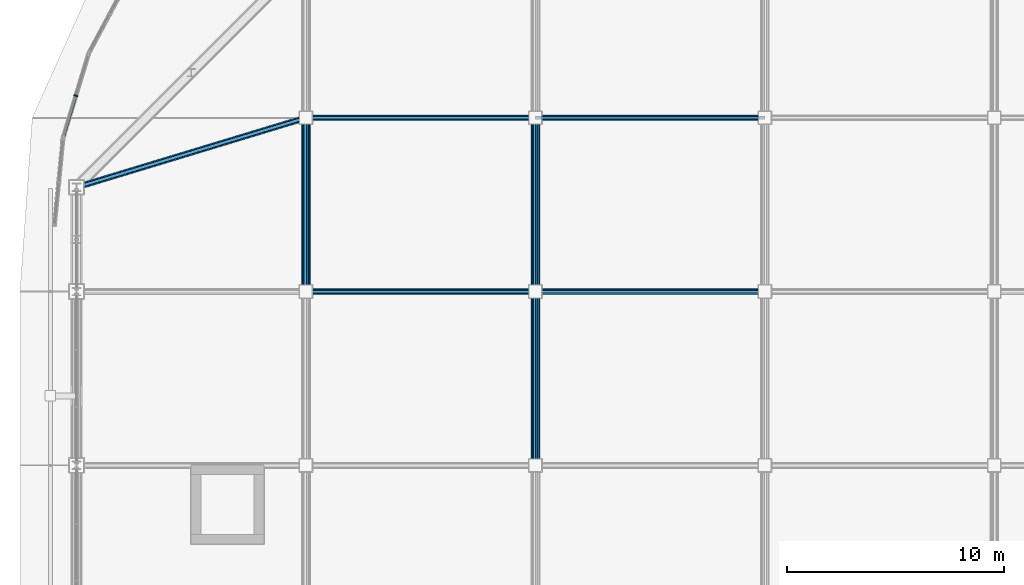
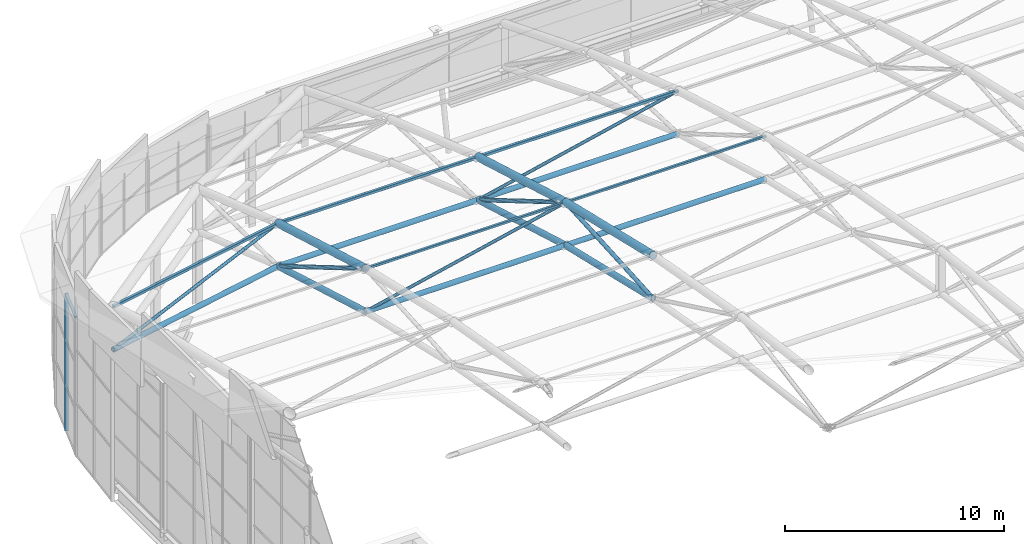
# One storey, part 19 of 42: 24 members, 1 element without a shape of its own.
"""IFC4 building model written with IfcOpenShell, lengths in metres."""

import ifcopenshell
import ifcopenshell.guid

model = None  # the IFC model being written
_history = None  # IfcOwnerHistory: only IFC2X3 demands one
_inside = {}  # id of a spatial element -> (the spatial element, [elements in it])
_under = {}  # id of a project, library or spatial element -> (it, [spatial elements below it])
_declared = {}  # id of a project -> (the project, [libraries it declares])
_typed = {}  # id of a type object -> (the type object, [elements of that type])
_made_of = {}  # id of a material, layer set ... -> (it, [elements and type objects made of it])


def new_model(schema):
    """Start an empty IFC model of exactly this schema.

    Asked for "IFC4X3", IfcOpenShell would pick the latest addendum, in which some entities
    have other attributes; the version numbers below select the first issue.
    IFC2X3 requires an IfcOwnerHistory on every rooted entity: one is made here for all.
    """
    global model, _history
    if schema == "IFC4X3":
        model = ifcopenshell.file(schema_version=(4, 3, 0, 0))
    else:
        model = ifcopenshell.file(schema=schema)
    _inside.clear()
    _under.clear()
    _declared.clear()
    _typed.clear()
    _made_of.clear()
    _history = None
    if model.schema == "IFC2X3":
        org = make("IfcOrganization", Name="unknown")
        user = make(
            "IfcPersonAndOrganization",
            ThePerson=make("IfcPerson", FamilyName="unknown"),
            TheOrganization=org,
        )
        app = make(
            "IfcApplication",
            ApplicationDeveloper=org,
            Version="unknown",
            ApplicationFullName="unknown",
            ApplicationIdentifier="unknown",
        )
        _history = make(
            "IfcOwnerHistory",
            OwningUser=user,
            OwningApplication=app,
            ChangeAction="ADDED",
            CreationDate=0,
        )
    return model


def make(cls, **values):
    """One entity of the class cls with the attributes given. An attribute that is None is left unset."""
    return model.create_entity(
        cls, **{name: value for name, value in values.items() if value is not None}
    )


def rooted(cls, **values):
    """An entity with a GlobalId (a new one), such as an element, a storey or a relation."""
    return make(cls, GlobalId=ifcopenshell.guid.new(), OwnerHistory=_history, **values)


def si_unit(unit_type, name, prefix=None):
    """IfcSIUnit, for example si_unit("LENGTHUNIT", "METRE", prefix="MILLI")."""
    return make("IfcSIUnit", UnitType=unit_type, Prefix=prefix, Name=name)


def assignment(units):
    """IfcUnitAssignment: the units of a project."""
    return None if units is None else make("IfcUnitAssignment", Units=units)


def point(xyz):
    """IfcCartesianPoint."""
    return None if xyz is None else make("IfcCartesianPoint", Coordinates=xyz)


def direction(xyz):
    """IfcDirection."""
    return None if xyz is None else make("IfcDirection", DirectionRatios=xyz)


def frame(location, z_axis=None, x_axis=None):
    """IfcAxis2Placement3D, a coordinate frame: its origin and axes. An axis left out is left unset."""
    return make(
        "IfcAxis2Placement3D",
        Location=point(location),
        Axis=direction(z_axis),
        RefDirection=direction(x_axis),
    )


def frame_2d(location, x_axis=None):
    """IfcAxis2Placement2D, a coordinate frame in the plane: its origin and x axis."""
    return make(
        "IfcAxis2Placement2D", Location=point(location), RefDirection=direction(x_axis)
    )


def origin():
    """The frame at (0, 0, 0) with its axes left unset."""
    return frame((0.0, 0.0, 0.0))


def origin_2d():
    """The frame at (0, 0) in the plane with its x axis left unset."""
    return frame_2d((0.0, 0.0))


def place(relative_to, where):
    """IfcLocalPlacement: puts the frame where relative to a parent placement (None: the world)."""
    return make(
        "IfcLocalPlacement", PlacementRelTo=relative_to, RelativePlacement=where
    )


def context(
    kind, dimensions, precision=None, world=None, true_north=None, identifier=None
):
    """IfcGeometricRepresentationContext, for example the 3D "Model" context."""
    return make(
        "IfcGeometricRepresentationContext",
        ContextIdentifier=identifier,
        ContextType=kind,
        CoordinateSpaceDimension=dimensions,
        Precision=precision,
        WorldCoordinateSystem=world,
        TrueNorth=true_north,
    )


def subcontext(parent, identifier, kind, view, scale=None):
    """IfcGeometricRepresentationSubContext, for example "Body" below "Model"."""
    return make(
        "IfcGeometricRepresentationSubContext",
        ContextIdentifier=identifier,
        ContextType=kind,
        ParentContext=parent,
        TargetScale=scale,
        TargetView=view,
    )


def project(units=None, contexts=None):
    """IfcProject with its units and contexts."""
    return rooted(
        "IfcProject",
        Name="project",
        RepresentationContexts=contexts,
        UnitsInContext=assignment(units),
    )


def spatial(cls, under=None, at=None, **own):
    """A site, building, storey or space (cls), placed at a placement, below another one or the project."""
    s = rooted(cls, ObjectPlacement=at, **own)
    if under is not None:
        _under.setdefault(under.id(), (under, []))[1].append(s)
    return s


def profile(cls, at=None, kind="AREA", **sizes):
    """A parametric profile (cls). Its sizes go by their IFC names, for example OverallWidth=200.0."""
    return make(cls, ProfileType=kind, Position=at, **sizes)


def rectangle(**sizes):
    """IfcRectangleProfileDef."""
    return profile("IfcRectangleProfileDef", **sizes)


def hollow_rectangle(**sizes):
    """IfcRectangleHollowProfileDef."""
    return profile("IfcRectangleHollowProfileDef", **sizes)


def hollow_circle(**sizes):
    """IfcCircleHollowProfileDef."""
    return profile("IfcCircleHollowProfileDef", **sizes)


def extrude(swept, where, along, depth):
    """IfcExtrudedAreaSolid: the profile swept, set in the frame where, extruded along a direction by depth."""
    return make(
        "IfcExtrudedAreaSolid",
        SweptArea=swept,
        Position=where,
        ExtrudedDirection=direction(along),
        Depth=depth,
    )


def shape(context_of_items, identifier, shape_type, items):
    """IfcShapeRepresentation: the items that make up one representation, for example the "Body"."""
    return make(
        "IfcShapeRepresentation",
        ContextOfItems=context_of_items,
        RepresentationIdentifier=identifier,
        RepresentationType=shape_type,
        Items=items,
    )


def material(Name=None, Category=None):
    """IfcMaterial."""
    return make("IfcMaterial", Name=Name, Category=Category)


def layer(
    of_material, thickness, ventilated=None, Name=None, Category=None, Priority=None
):
    """IfcMaterialLayer: one layer of a wall or slab, of a material (None: an air gap)."""
    return make(
        "IfcMaterialLayer",
        Material=of_material,
        LayerThickness=thickness,
        IsVentilated=ventilated,
        Name=Name,
        Category=Category,
        Priority=Priority,
    )


def layer_set(layers, Name=None):
    """IfcMaterialLayerSet."""
    return make("IfcMaterialLayerSet", MaterialLayers=layers, LayerSetName=Name)


def material_profile(
    of_material, cross_section, Name=None, Category=None, Priority=None
):
    """IfcMaterialProfile: a cross section and its material."""
    return make(
        "IfcMaterialProfile",
        Name=Name,
        Material=of_material,
        Profile=cross_section,
        Priority=Priority,
        Category=Category,
    )


def profile_set(profiles, Name=None, composite=None):
    """IfcMaterialProfileSet."""
    return make(
        "IfcMaterialProfileSet",
        Name=Name,
        MaterialProfiles=profiles,
        CompositeProfile=composite,
    )


def made_of(thing, what):
    """Note that an element or type object is made of a material, layer set ...; save() writes the relation."""
    if what is not None:
        _made_of.setdefault(what.id(), (what, []))[1].append(thing)
    return thing


def type_object(cls, material=None, **own):
    """A type object (cls), such as IfcWallType, which elements share."""
    return made_of(rooted(cls, **own), material)


def element(
    cls,
    number,
    at=None,
    inside=None,
    cuts=None,
    type_object=None,
    material=None,
    context=None,
    identifier="Body",
    shape_type=None,
    held_by="IfcProductDefinitionShape",
    body=None,
    shapes=None,
    **own,
):
    """One element of the class cls, such as IfcWall. Its Tag is "e" and its number.

    at: its placement. inside: the storey or other place that contains it. cuts: it is an
    opening in that element (IfcRelVoidsElement). A single representation is given by context,
    identifier, shape_type and body (its items); several are given by shapes. held_by: the class
    of the entity that holds the representations. save() writes the other relations.
    """
    e = rooted(cls, Tag="e%d" % number, ObjectPlacement=at, **own)
    if body is not None:
        shapes = [shape(context, identifier, shape_type, body)]
    if shapes is not None:
        e.Representation = make(held_by, Representations=shapes)
    if inside is not None:
        _inside.setdefault(inside.id(), (inside, []))[1].append(e)
    if cuts is not None:
        rooted(
            "IfcRelVoidsElement", RelatingBuildingElement=cuts, RelatedOpeningElement=e
        )
    if type_object is not None:
        _typed.setdefault(type_object.id(), (type_object, []))[1].append(e)
    return made_of(e, material)


def aggregate(whole, parts):
    """IfcRelAggregates: a whole, such as a stair, and the parts it consists of."""
    return rooted("IfcRelAggregates", RelatingObject=whole, RelatedObjects=parts)


def save(model, path):
    """Write the relations noted so far, then the file.

    IfcRelAggregates (storeys below a building ...), IfcRelContainedInSpatialStructure (elements
    in a storey), IfcRelDefinesByType, IfcRelAssociatesMaterial and IfcRelDeclares: one each for
    every whole, place, type object, material and project.
    """
    for whole, parts in _under.values():
        aggregate(whole, parts)
    for where, things in _inside.values():
        rooted(
            "IfcRelContainedInSpatialStructure",
            RelatedElements=things,
            RelatingStructure=where,
        )
    for kind, things in _typed.values():
        rooted("IfcRelDefinesByType", RelatedObjects=things, RelatingType=kind)
    for what, things in _made_of.values():
        rooted("IfcRelAssociatesMaterial", RelatedObjects=things, RelatingMaterial=what)
    for by, libraries in _declared.values():
        rooted("IfcRelDeclares", RelatingContext=by, RelatedDefinitions=libraries)
    model.write(path)


model = new_model("IFC4")

# Units and contexts
model_context = context("Model", 3, precision=1e-05, world=origin(), true_north=direction((0.0, 1.0)))
body_context = subcontext(model_context, "Body", "Model", "MODEL_VIEW")
ifc_project = project(units=[si_unit("LENGTHUNIT", "METRE"), si_unit("AREAUNIT", "SQUARE_METRE"), si_unit("VOLUMEUNIT", "CUBIC_METRE"), si_unit("PLANEANGLEUNIT", "RADIAN"), si_unit("MASSUNIT", "GRAM", prefix="KILO")], contexts=[model_context])

# Site, building, storey
site_placement = place(None, origin())
site = spatial("IfcSite", under=ifc_project, at=site_placement, CompositionType="ELEMENT")
building_placement = place(site_placement, origin())
building = spatial("IfcBuilding", under=site, at=building_placement, Name="Caelomonte Colonnade Arena", CompositionType="ELEMENT")
storey_placement = place(building_placement, frame((0.0, 0.0, 28.199951171875)))
storey = spatial("IfcBuildingStorey", under=building, at=storey_placement, Name="RF", CompositionType="ELEMENT", Elevation=28.199951171875)

# Curtain wall, members
ifc_material_1 = material(Name="Bronze anodised aluminium and low-E glazing", Category="aluminium")
ifc_layer = layer(ifc_material_1, 0.179931640625)
ifc_layer_set = layer_set([ifc_layer], Name="Bronze anodised aluminium and low-E glazing")
curtain_wall_type = type_object("IfcCurtainWallType", Name="ENV-CW-CW-TYMPC-02-77", PredefinedType="USERDEFINED", material=ifc_layer_set)
curtain_wall_placement = place(storey_placement, origin())
curtain_wall = element("IfcCurtainWall", 1, at=curtain_wall_placement, inside=storey, type_object=curtain_wall_type, Name="Barrel arch rounded corner clerestory curtain wall 23", ObjectType="UNITIZED CURTAIN WALL", PredefinedType="USERDEFINED")
ifc_material_2 = material(Name="Bronze anodised aluminium AA6063-T6", Category="aluminium")
ifc_material_profile_1 = material_profile(ifc_material_2, rectangle(XDim=0.070068359375, YDim=0.179931640625, at=origin_2d()), Name="CWM-70X180")
ifc_profile_set_1 = profile_set([ifc_material_profile_1], Name="Bronze anodised aluminium AA6063-T6")
member_type_1 = type_object("IfcMemberType", Name="ENV-CW-MULL1", PredefinedType="MULLION", material=ifc_profile_set_1)
member_1_placement = place(storey_placement, frame((57.572509765625, 100.214599609375, -0.14990234375), z_axis=(0.0, 0.0, 1.0), x_axis=(-0.290266004632, -0.956945999811, 0.0)))
member_1 = element("IfcMember", 2, at=member_1_placement, type_object=member_type_1, Name="CW-TYMPC-02-77 mullion 2", PredefinedType="MULLION", context=body_context, shape_type="SweptSolid", body=[
    extrude(rectangle(XDim=0.070068359375, YDim=0.179931640625, at=origin_2d()), origin(), (0.0, 0.0, 1.0), 7.666259765625),
])
ifc_material_profile_2 = material_profile(ifc_material_2, rectangle(XDim=0.070068359375, YDim=0.139892578125, at=origin_2d()), Name="CWT-70X140")
ifc_profile_set_2 = profile_set([ifc_material_profile_2], Name="Bronze anodised aluminium AA6063-T6")
member_type_2 = type_object("IfcMemberType", Name="ENV-CW-TRAN1", PredefinedType="USERDEFINED", material=ifc_profile_set_2)
member_2_placement = place(storey_placement, frame((57.562255859375, 100.18115234375, 7.481201171875), z_axis=(-0.29024452618, -0.956952514508, 0.0), x_axis=(0.0, 0.0, 1.0)))
member_2 = element("IfcMember", 3, at=member_2_placement, type_object=member_type_2, Name="CW-TYMPC-02-77 transom 2.4", ObjectType="TRANSOM", PredefinedType="USERDEFINED", context=body_context, shape_type="SweptSolid", body=[
    extrude(rectangle(XDim=0.070068359375, YDim=0.139892578125, at=origin_2d()), origin(), (0.0, 0.0, 1.0), 1.885986328125),
])
aggregate(curtain_wall, [member_1, member_2])

# Members
ifc_material_3 = material(Name="Steel ASTM A500 Grade C", Category="steel")
ifc_material_profile_3 = material_profile(ifc_material_3, hollow_circle(Radius=0.161865234375, WallThickness=0.010009765625, at=origin_2d()), Name="CHS323.9X10.0")
ifc_profile_set_3 = profile_set([ifc_material_profile_3], Name="Steel ASTM A500 Grade C")
member_type_3 = type_object("IfcMemberType", Name="STR-SF-BC2", PredefinedType="CHORD", material=ifc_profile_set_3)
member_3_placement = place(storey_placement, frame((68.159912109375, 91.201904296875, 8.25244140625), z_axis=(0.0, 0.960531688459, -0.278170586988), x_axis=(-1.0, 0.0, 0.0)))
element("IfcMember", 4, at=member_3_placement, inside=storey, type_object=member_type_3, Name="Arched roof truss bottom chord 1-9", PredefinedType="CHORD", context=body_context, shape_type="SweptSolid", body=[
    extrude(hollow_circle(Radius=0.161865234375, WallThickness=0.010009765625, at=origin_2d()), origin(), (0.0, 0.0, 1.0), 8.32470703125),
])
member_4_placement = place(storey_placement, frame((78.719970703125, 83.201904296875, 10.135498046875), z_axis=(0.0, 0.973406253466, -0.229085716955), x_axis=(-1.0, 0.0, 0.0)))
element("IfcMember", 5, at=member_4_placement, inside=storey, type_object=member_type_3, Name="Arched roof truss bottom chord 2-8", PredefinedType="CHORD", context=body_context, shape_type="SweptSolid", body=[
    extrude(hollow_circle(Radius=0.161865234375, WallThickness=0.010009765625, at=origin_2d()), origin(), (0.0, 0.0, 1.0), 8.214599609375),
])
member_5_placement = place(storey_placement, frame((78.719970703125, 91.201904296875, 8.25244140625), z_axis=(0.0, 0.960531688459, -0.278170586988), x_axis=(-1.0, 0.0, 0.0)))
element("IfcMember", 6, at=member_5_placement, inside=storey, type_object=member_type_3, Name="Arched roof truss bottom chord 2-9", PredefinedType="CHORD", context=body_context, shape_type="SweptSolid", body=[
    extrude(hollow_circle(Radius=0.161865234375, WallThickness=0.010009765625, at=origin_2d()), origin(), (0.0, 0.0, 1.0), 8.32470703125),
])
ifc_material_profile_4 = material_profile(ifc_material_3, hollow_rectangle(XDim=0.15234375, YDim=0.15234375, WallThickness=0.008056640625, InnerFilletRadius=0.008056640625, OuterFilletRadius=0.01611328125, at=origin_2d()), Name="HSS152X152X8.0")
ifc_profile_set_4 = profile_set([ifc_material_profile_4], Name="Steel ASTM A500 Grade C")
member_type_4 = type_object("IfcMemberType", Name="STR-SF-PUR2", PredefinedType="PURLIN", material=ifc_profile_set_4)
member_6_placement = place(storey_placement, frame((57.601806640625, 96.00048828125, 9.314697265625), z_axis=(0.95327915151, 0.288878482903, -0.088363348811), x_axis=(-0.290012923955, 0.957022729061, 0.0)))
element("IfcMember", 7, at=member_6_placement, inside=storey, type_object=member_type_4, Name="Arched roof purlin 0-10", PredefinedType="PURLIN", context=body_context, shape_type="SweptSolid", body=[
    extrude(hollow_rectangle(XDim=0.15234375, YDim=0.15234375, WallThickness=0.008056640625, InnerFilletRadius=0.008056640625, OuterFilletRadius=0.01611328125, at=origin_2d()), origin(), (0.0, 0.0, 1.0), 11.07373046875),
])
member_7_placement = place(storey_placement, frame((68.162109375, 99.199951171875, 8.3359375), z_axis=(1.0, 0.0, 0.0), x_axis=(0.0, 1.0, 0.0)))
element("IfcMember", 8, at=member_7_placement, inside=storey, type_object=member_type_4, Name="Arched roof purlin 1-10", PredefinedType="PURLIN", context=body_context, shape_type="SweptSolid", body=[
    extrude(hollow_rectangle(XDim=0.15234375, YDim=0.15234375, WallThickness=0.008056640625, InnerFilletRadius=0.008056640625, OuterFilletRadius=0.01611328125, at=origin_2d()), origin(), (0.0, 0.0, 1.0), 10.555908203125),
])
member_8_placement = place(storey_placement, frame((78.721923828125, 99.199951171875, 8.3359375), z_axis=(1.0, 0.0, 0.0), x_axis=(0.0, 1.0, 0.0)))
element("IfcMember", 9, at=member_8_placement, inside=storey, type_object=member_type_4, Name="Arched roof purlin 2-10", PredefinedType="PURLIN", context=body_context, shape_type="SweptSolid", body=[
    extrude(hollow_rectangle(XDim=0.15234375, YDim=0.15234375, WallThickness=0.008056640625, InnerFilletRadius=0.008056640625, OuterFilletRadius=0.01611328125, at=origin_2d()), origin(), (0.0, 0.0, 1.0), 10.55615234375),
])
ifc_material_profile_5 = material_profile(ifc_material_3, hollow_rectangle(XDim=0.126953125, YDim=0.126953125, WallThickness=0.00634765625, InnerFilletRadius=0.00634765625, OuterFilletRadius=0.0126953125, at=origin_2d()), Name="HSS127X127X6.4")
ifc_profile_set_5 = profile_set([ifc_material_profile_5], Name="Steel ASTM A500 Grade C")
member_type_5 = type_object("IfcMemberType", Name="STR-SF-PUR3", PredefinedType="PURLIN", material=ifc_profile_set_5)
member_9_placement = place(storey_placement, frame((68.162109375, 91.199951171875, 10.653076171875), z_axis=(1.0, 0.0, 0.0), x_axis=(0.0, 1.0, 0.0)))
element("IfcMember", 10, at=member_9_placement, inside=storey, type_object=member_type_5, Name="Arched roof purlin 1-9", PredefinedType="PURLIN", context=body_context, shape_type="SweptSolid", body=[
    extrude(hollow_rectangle(XDim=0.126953125, YDim=0.126953125, WallThickness=0.00634765625, InnerFilletRadius=0.00634765625, OuterFilletRadius=0.0126953125, at=origin_2d()), origin(), (0.0, 0.0, 1.0), 10.555908203125),
])
member_10_placement = place(storey_placement, frame((78.721923828125, 91.199951171875, 10.653076171875), z_axis=(1.0, 0.0, 0.0), x_axis=(0.0, 1.0, 0.0)))
element("IfcMember", 11, at=member_10_placement, inside=storey, type_object=member_type_5, Name="Arched roof purlin 2-9", PredefinedType="PURLIN", context=body_context, shape_type="SweptSolid", body=[
    extrude(hollow_rectangle(XDim=0.126953125, YDim=0.126953125, WallThickness=0.00634765625, InnerFilletRadius=0.00634765625, OuterFilletRadius=0.0126953125, at=origin_2d()), origin(), (0.0, 0.0, 1.0), 10.55615234375),
])
ifc_material_profile_6 = material_profile(ifc_material_3, hollow_circle(Radius=0.203125, WallThickness=0.0126953125, at=origin_2d()), Name="CHS406.4X12.7")
ifc_profile_set_6 = profile_set([ifc_material_profile_6], Name="Steel ASTM A500 Grade C")
member_type_6 = type_object("IfcMemberType", Name="STR-SF-TC2", PredefinedType="CHORD", material=ifc_profile_set_6)
member_11_placement = place(storey_placement, frame((68.159912109375, 91.201904296875, 10.65234375), z_axis=(0.0, 0.960531688459, -0.278170586988), x_axis=(-1.0, 0.0, 0.0)))
element("IfcMember", 12, at=member_11_placement, inside=storey, type_object=member_type_6, Name="Arched roof truss top chord 1-9", PredefinedType="CHORD", context=body_context, shape_type="SweptSolid", body=[
    extrude(hollow_circle(Radius=0.203125, WallThickness=0.0126953125, at=origin_2d()), origin(), (0.0, 0.0, 1.0), 8.32470703125),
])
member_12_placement = place(storey_placement, frame((78.719970703125, 83.201904296875, 12.53564453125), z_axis=(0.0, 0.973399625624, -0.229113877441), x_axis=(-1.0, 0.0, 0.0)))
element("IfcMember", 13, at=member_12_placement, inside=storey, type_object=member_type_6, Name="Arched roof truss top chord 2-8", PredefinedType="CHORD", context=body_context, shape_type="SweptSolid", body=[
    extrude(hollow_circle(Radius=0.203125, WallThickness=0.0126953125, at=origin_2d()), origin(), (0.0, 0.0, 1.0), 8.214599609375),
])
member_13_placement = place(storey_placement, frame((78.719970703125, 91.201904296875, 10.65234375), z_axis=(0.0, 0.960531688459, -0.278170586988), x_axis=(-1.0, 0.0, 0.0)))
element("IfcMember", 14, at=member_13_placement, inside=storey, type_object=member_type_6, Name="Arched roof truss top chord 2-9", PredefinedType="CHORD", context=body_context, shape_type="SweptSolid", body=[
    extrude(hollow_circle(Radius=0.203125, WallThickness=0.0126953125, at=origin_2d()), origin(), (0.0, 0.0, 1.0), 8.32470703125),
])
ifc_material_profile_7 = material_profile(ifc_material_3, hollow_circle(Radius=0.136474609375, WallThickness=0.00927734375, at=origin_2d()), Name="CHS273.0X9.3")
ifc_profile_set_7 = profile_set([ifc_material_profile_7], Name="Steel ASTM A500 Grade C")
member_type_7 = type_object("IfcMemberType", Name="STR-SF-TIE", PredefinedType="STRUT", material=ifc_profile_set_7)
member_14_placement = place(storey_placement, frame((57.601806640625, 96.00048828125, 6.914794921875), z_axis=(0.95327915151, 0.288878482903, -0.088363348811), x_axis=(-0.290012923955, 0.957022729061, 0.0)))
element("IfcMember", 15, at=member_14_placement, inside=storey, type_object=member_type_7, Name="Space frame roof tie strut 0-10", PredefinedType="STRUT", context=body_context, shape_type="SweptSolid", body=[
    extrude(hollow_circle(Radius=0.136474609375, WallThickness=0.00927734375, at=origin_2d()), origin(), (0.0, 0.0, 1.0), 11.07373046875),
])
for number, where, z_axis, x_axis, name in (
    (16, (68.162109375, 91.199951171875, 8.2529296875), (1.0, 0.0, 0.0), (0.0, 1.0, 0.0), "Space frame roof tie strut 1-9"),
    (17, (68.162109375, 99.199951171875, 5.93603515625), (1.0, 0.0, 0.0), (0.0, 1.0, 0.0), "Space frame roof tie strut 1-10"),
):
    element("IfcMember", number, at=place(storey_placement, frame(where, z_axis=z_axis, x_axis=x_axis)), inside=storey, type_object=member_type_7, Name=name, PredefinedType="STRUT", context=body_context, shape_type="SweptSolid", body=[
        extrude(hollow_circle(Radius=0.136474609375, WallThickness=0.00927734375, at=origin_2d()), origin(), (0.0, 0.0, 1.0), 10.555908203125),
    ])
for number, where, z_axis, x_axis, name in (
    (18, (78.721923828125, 91.199951171875, 8.2529296875), (1.0, 0.0, 0.0), (0.0, 1.0, 0.0), "Space frame roof tie strut 2-9"),
    (19, (78.721923828125, 99.199951171875, 5.93603515625), (1.0, 0.0, 0.0), (0.0, 1.0, 0.0), "Space frame roof tie strut 2-10"),
):
    element("IfcMember", number, at=place(storey_placement, frame(where, z_axis=z_axis, x_axis=x_axis)), inside=storey, type_object=member_type_7, Name=name, PredefinedType="STRUT", context=body_context, shape_type="SweptSolid", body=[
        extrude(hollow_circle(Radius=0.136474609375, WallThickness=0.00927734375, at=origin_2d()), origin(), (0.0, 0.0, 1.0), 10.55615234375),
    ])
ifc_material_profile_8 = material_profile(ifc_material_3, hollow_circle(Radius=0.109619140625, WallThickness=0.00830078125, at=origin_2d()), Name="CHS219.1X8.2")
ifc_profile_set_8 = profile_set([ifc_material_profile_8], Name="Steel ASTM A500 Grade C")
member_type_8 = type_object("IfcMemberType", Name="STR-SF-WEB1", PredefinedType="BRACE", material=ifc_profile_set_8)
member_15_placement = place(storey_placement, frame((68.159912109375, 91.20166015625, 10.652099609375), z_axis=(0.0, 0.861405734482, -0.507917474203), x_axis=(-1.0, 0.0, 0.0)))
element("IfcMember", 20, at=member_15_placement, inside=storey, type_object=member_type_8, Name="Space frame roof truss web diagonal 1-9", PredefinedType="BRACE", context=body_context, shape_type="SweptSolid", body=[
    extrude(hollow_circle(Radius=0.109619140625, WallThickness=0.00830078125, at=origin_2d()), origin(), (0.0, 0.0, 1.0), 9.283203125),
])
member_16_placement = place(storey_placement, frame((78.719970703125, 83.201904296875, 10.13623046875), z_axis=(0.0, 0.997919495279, 0.064472326942), x_axis=(-1.0, 0.0, 0.0)))
element("IfcMember", 21, at=member_16_placement, inside=storey, type_object=member_type_8, Name="Space frame roof truss web diagonal 2-8", PredefinedType="BRACE", context=body_context, shape_type="SweptSolid", body=[
    extrude(hollow_circle(Radius=0.109619140625, WallThickness=0.00830078125, at=origin_2d()), origin(), (0.0, 0.0, 1.0), 8.0126953125),
])
member_17_placement = place(storey_placement, frame((78.719970703125, 91.20166015625, 10.652099609375), z_axis=(0.0, 0.861405734482, -0.507917474203), x_axis=(-1.0, 0.0, 0.0)))
element("IfcMember", 22, at=member_17_placement, inside=storey, type_object=member_type_8, Name="Space frame roof truss web diagonal 2-9", PredefinedType="BRACE", context=body_context, shape_type="SweptSolid", body=[
    extrude(hollow_circle(Radius=0.109619140625, WallThickness=0.00830078125, at=origin_2d()), origin(), (0.0, 0.0, 1.0), 9.283203125),
])
ifc_material_profile_9 = material_profile(ifc_material_3, hollow_circle(Radius=0.084228515625, WallThickness=0.007080078125, at=origin_2d()), Name="CHS168.3X7.1")
ifc_profile_set_9 = profile_set([ifc_material_profile_9], Name="Steel ASTM A500 Grade C")
member_type_9 = type_object("IfcMemberType", Name="STR-SF-WEB2", PredefinedType="BRACE", material=ifc_profile_set_9)
member_18_placement = place(storey_placement, frame((57.601806640625, 96.00048828125, 6.915283203125), z_axis=(0.949185322359, 0.287637902793, 0.127717111993), x_axis=(-0.290012923955, 0.957022729061, 0.0)))
element("IfcMember", 23, at=member_18_placement, inside=storey, type_object=member_type_9, Name="Space frame transverse diagonal 0-10", PredefinedType="BRACE", context=body_context, shape_type="SweptSolid", body=[
    extrude(hollow_circle(Radius=0.084228515625, WallThickness=0.007080078125, at=origin_2d()), origin(), (0.0, 0.0, 1.0), 11.12158203125),
])
member_19_placement = place(storey_placement, frame((68.162109375, 91.199951171875, 8.25341796875), z_axis=(0.975130861858, 0.0, 0.221629876714), x_axis=(0.0, 1.0, 0.0)))
element("IfcMember", 24, at=member_19_placement, inside=storey, type_object=member_type_9, Name="Space frame transverse diagonal 1-9", PredefinedType="BRACE", context=body_context, shape_type="SweptSolid", body=[
    extrude(hollow_circle(Radius=0.084228515625, WallThickness=0.007080078125, at=origin_2d()), origin(), (0.0, 0.0, 1.0), 10.8251953125),
])
member_20_placement = place(storey_placement, frame((78.721923828125, 99.199951171875, 5.9365234375), z_axis=(0.975131969628, 0.0, 0.221625002672), x_axis=(0.0, 1.0, 0.0)))
element("IfcMember", 25, at=member_20_placement, inside=storey, type_object=member_type_9, Name="Space frame transverse diagonal 2-10", PredefinedType="BRACE", context=body_context, shape_type="SweptSolid", body=[
    extrude(hollow_circle(Radius=0.084228515625, WallThickness=0.007080078125, at=origin_2d()), origin(), (0.0, 0.0, 1.0), 10.825439453125),
])

save(model, "model.ifc")
